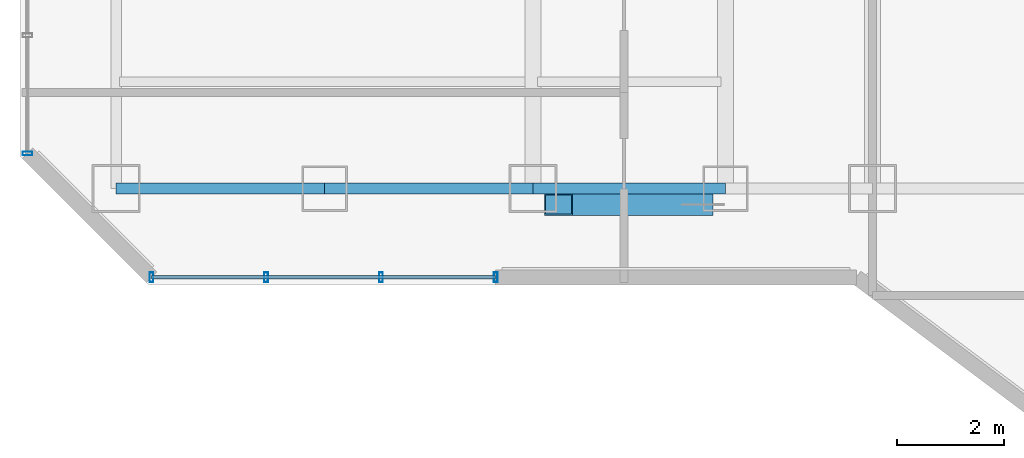
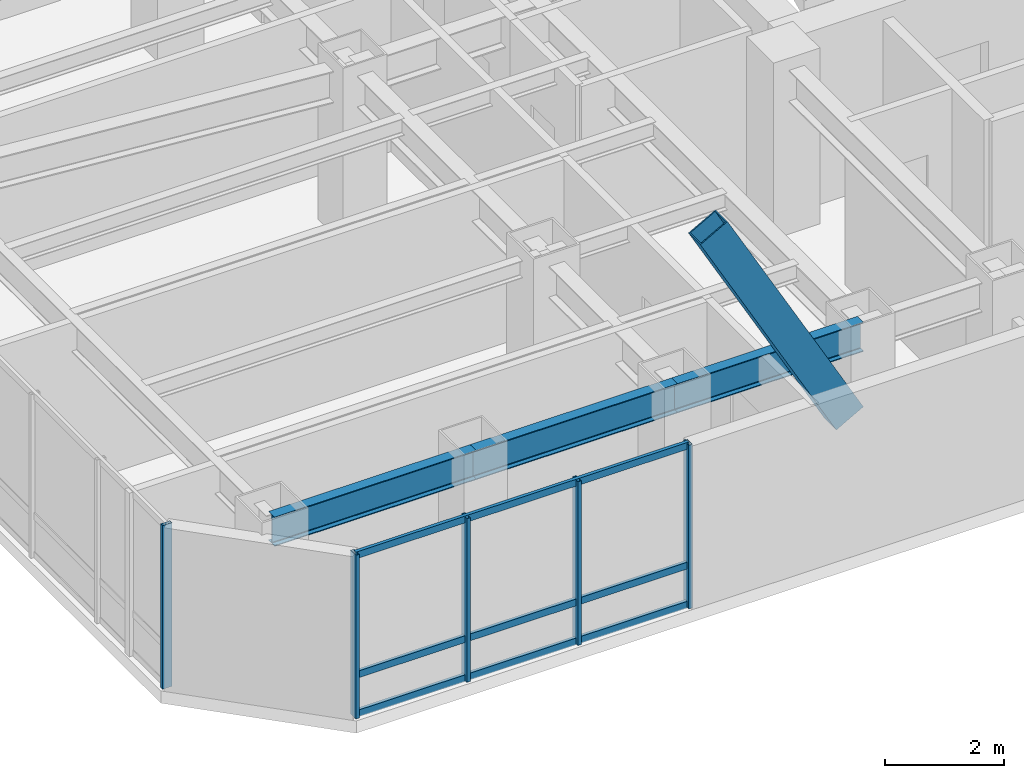
# One storey, part 2 of 31: 9 members, 3 beams, 2 elements without a shape of their own.
"""IFC4 building model written with IfcOpenShell, lengths in metres."""

from ifc_helpers import new_model, si_unit, direction, frame, origin, origin_2d, place, context, subcontext, project, spatial, hollow_rectangle, i_section, extrude, material, layer, layer_set, material_profile, profile_set, type_object, element, aggregate, save


model = new_model("IFC4")

# Units and contexts
model_context = context("Model", 3, precision=1e-05, world=origin(), true_north=direction((0.0, 1.0)))
body_context = subcontext(model_context, "Body", "Model", "MODEL_VIEW")
ifc_project = project(units=[si_unit("LENGTHUNIT", "METRE"), si_unit("AREAUNIT", "SQUARE_METRE"), si_unit("VOLUMEUNIT", "CUBIC_METRE"), si_unit("PLANEANGLEUNIT", "RADIAN"), si_unit("MASSUNIT", "GRAM", prefix="KILO")], contexts=[model_context])

# Site, building, storey
site_placement = place(None, origin())
site = spatial("IfcSite", under=ifc_project, at=site_placement, CompositionType="ELEMENT")
building_placement = place(site_placement, origin())
building = spatial("IfcBuilding", under=site, at=building_placement, Name="Hatsunagi Terrace Concourse", CompositionType="ELEMENT")
storey_placement = place(building_placement, frame((0.0, 0.0, 112.050048828125)))
storey = spatial("IfcBuildingStorey", under=building, at=storey_placement, Name="L29", CompositionType="ELEMENT", Elevation=112.050048828125)

# Curtain wall, members
ifc_material_1 = material(Name="Anodised Aluminium Alloy 6063-T5", Category="aluminium")
ifc_layer = layer(ifc_material_1, 0.199951171875)
ifc_layer_set = layer_set([ifc_layer], Name="OfficeZone1_CW03")
curtain_wall_type = type_object("IfcCurtainWallType", Name="OfficeZone1_CW03", PredefinedType="NOTDEFINED", material=ifc_layer_set)
curtain_wall_1_placement = place(storey_placement, origin())
curtain_wall_1 = element("IfcCurtainWall", 1, at=curtain_wall_1_placement, inside=storey, type_object=curtain_wall_type, Name="Unitised Curtain Wall CW-03 CW-L29-07", PredefinedType="NOTDEFINED")
ifc_material_2 = material(Name="Anodised Aluminium Alloy 6063-T5", Category="aluminium")
ifc_material_profile_1 = material_profile(ifc_material_2, hollow_rectangle(XDim=0.070068359375, YDim=0.179931640625, WallThickness=0.00390625, at=origin_2d()), Name="ALU-MUL-180x70x4")
ifc_profile_set_1 = profile_set([ifc_material_profile_1], Name="Anodised Aluminium Alloy 6063-T5")
member_type_1 = type_object("IfcMemberType", Name="CurtainWallMullion_180x70", PredefinedType="MULLION", material=ifc_profile_set_1)
member_1_placement = place(storey_placement, frame((18.5, 23.5400390625, 0.0), z_axis=(0.0, 0.0, 1.0), x_axis=(-1.0, 0.0, 0.0)))
member_1 = element("IfcMember", 2, at=member_1_placement, type_object=member_type_1, Name="Curtain Wall Mullion MUL-02", PredefinedType="MULLION", context=body_context, shape_type="SweptSolid", body=[
    extrude(hollow_rectangle(XDim=0.070068359375, YDim=0.179931640625, WallThickness=0.00390625, at=origin_2d()), origin(), (0.0, 0.0, 1.0), 3.349853515625),
])
member_2_placement = place(storey_placement, frame((16.35302734375, 23.5400390625, 0.0), z_axis=(0.0, 0.0, 1.0), x_axis=(-1.0, 0.0, 0.0)))
member_2 = element("IfcMember", 3, at=member_2_placement, type_object=member_type_1, Name="Curtain Wall Mullion MUL-02", PredefinedType="MULLION", context=body_context, shape_type="SweptSolid", body=[
    extrude(hollow_rectangle(XDim=0.070068359375, YDim=0.179931640625, WallThickness=0.00390625, at=origin_2d()), origin(), (0.0, 0.0, 1.0), 3.349853515625),
])
member_3_placement = place(storey_placement, frame((14.205078125, 23.5400390625, 0.0), z_axis=(0.0, 0.0, 1.0), x_axis=(-1.0, 0.0, 0.0)))
member_3 = element("IfcMember", 4, at=member_3_placement, type_object=member_type_1, Name="Curtain Wall Mullion MUL-02", PredefinedType="MULLION", context=body_context, shape_type="SweptSolid", body=[
    extrude(hollow_rectangle(XDim=0.070068359375, YDim=0.179931640625, WallThickness=0.00390625, at=origin_2d()), origin(), (0.0, 0.0, 1.0), 3.349853515625),
])
member_4_placement = place(storey_placement, frame((12.05810546875, 23.5400390625, 0.0), z_axis=(0.0, 0.0, 1.0), x_axis=(-1.0, 0.0, 0.0)))
member_4 = element("IfcMember", 5, at=member_4_placement, type_object=member_type_1, Name="Curtain Wall Mullion MUL-02", PredefinedType="MULLION", context=body_context, shape_type="SweptSolid", body=[
    extrude(hollow_rectangle(XDim=0.070068359375, YDim=0.179931640625, WallThickness=0.00390625, at=origin_2d()), origin(), (0.0, 0.0, 1.0), 3.349853515625),
])

# Curtain wall, member
curtain_wall_2_placement = place(storey_placement, origin())
curtain_wall_2 = element("IfcCurtainWall", 6, at=curtain_wall_2_placement, inside=storey, type_object=curtain_wall_type, Name="Unitised Curtain Wall CW-03 CW-L29-09", PredefinedType="NOTDEFINED")
member_5_placement = place(storey_placement, frame((9.739990234375, 25.85791015625, 0.0), z_axis=(0.0, 0.0, 1.0), x_axis=(0.0, 1.0, 0.0)))
member_5 = element("IfcMember", 7, at=member_5_placement, type_object=member_type_1, Name="Curtain Wall Mullion MUL-02", PredefinedType="MULLION", context=body_context, shape_type="SweptSolid", body=[
    extrude(hollow_rectangle(XDim=0.070068359375, YDim=0.179931640625, WallThickness=0.00390625, at=origin_2d()), origin(), (0.0, 0.0, 1.0), 3.349853515625),
])
aggregate(curtain_wall_2, [member_5])

# Member
ifc_material_3 = material(Name="Anodised Aluminium Alloy 6063-T5", Category="aluminium")
ifc_material_profile_2 = material_profile(ifc_material_3, hollow_rectangle(XDim=0.06494140625, YDim=0.139892578125, WallThickness=0.00390625, at=origin_2d()), Name="ALU-TRN-140x65x4")
ifc_profile_set_2 = profile_set([ifc_material_profile_2], Name="Anodised Aluminium Alloy 6063-T5")
member_type_2 = type_object("IfcMemberType", Name="CurtainWallTransom_140x65", PredefinedType="USERDEFINED", material=ifc_profile_set_2)
member_6_placement = place(storey_placement, frame((18.5, 23.5400390625, 0.050048828125), z_axis=(-1.0, 0.0, 0.0), x_axis=(0.0, -1.0, 0.0)))
member_6 = element("IfcMember", 8, at=member_6_placement, type_object=member_type_2, Name="Curtain Wall Transom TRN-02", ObjectType="TRANSOM", PredefinedType="USERDEFINED", context=body_context, shape_type="SweptSolid", body=[
    extrude(hollow_rectangle(XDim=0.06494140625, YDim=0.139892578125, WallThickness=0.00390625, at=origin_2d()), origin(), (0.0, 0.0, 1.0), 6.44189453125),
])

member_7_placement = place(storey_placement, frame((18.5, 23.5400390625, 0.849853515625), z_axis=(-1.0, 0.0, 0.0), x_axis=(0.0, -1.0, 0.0)))
member_7 = element("IfcMember", 9, at=member_7_placement, type_object=member_type_2, Name="Curtain Wall Transom TRN-02", ObjectType="TRANSOM", PredefinedType="USERDEFINED", context=body_context, shape_type="SweptSolid", body=[
    extrude(hollow_rectangle(XDim=0.06494140625, YDim=0.139892578125, WallThickness=0.00390625, at=origin_2d()), origin(), (0.0, 0.0, 1.0), 6.44189453125),
])

member_8_placement = place(storey_placement, frame((18.5, 23.5400390625, 3.300048828125), z_axis=(-1.0, 0.0, 0.0), x_axis=(0.0, -1.0, 0.0)))
member_8 = element("IfcMember", 10, at=member_8_placement, type_object=member_type_2, Name="Curtain Wall Transom TRN-02", ObjectType="TRANSOM", PredefinedType="USERDEFINED", context=body_context, shape_type="SweptSolid", body=[
    extrude(hollow_rectangle(XDim=0.06494140625, YDim=0.139892578125, WallThickness=0.00390625, at=origin_2d()), origin(), (0.0, 0.0, 1.0), 6.44189453125),
])

aggregate(curtain_wall_1, [member_1, member_2, member_3, member_4, member_6, member_7, member_8])

# Beams
ifc_material_4 = material(Name="Steel SN490B", Category="steel")
ifc_material_profile_3 = material_profile(ifc_material_4, i_section(OverallWidth=0.199951171875, OverallDepth=0.60009765625, WebThickness=0.010986328125, FlangeThickness=0.01708984375, FilletRadius=0.01806640625, at=origin_2d()), Name="H-600x200x11x17")
ifc_profile_set_3 = profile_set([ifc_material_profile_3], Name="Steel SN490B")
beam_type = type_object("IfcBeamType", Name="PerimeterSpandrel_H_600x200", PredefinedType="SPANDREL", material=ifc_profile_set_3)
beam_1_placement = place(storey_placement, frame((11.39990234375, 25.199951171875, 3.050048828125), z_axis=(1.0, 0.0, 0.0), x_axis=(0.0, 1.0, 0.0)))
element("IfcBeam", 11, at=beam_1_placement, inside=storey, type_object=beam_type, Name="Beam SP-01 BM-L29-WS-11", PredefinedType="SPANDREL", context=body_context, shape_type="SweptSolid", body=[
    extrude(i_section(OverallWidth=0.199951171875, OverallDepth=0.60009765625, WebThickness=0.010986328125, FlangeThickness=0.01708984375, FilletRadius=0.01806640625, at=origin_2d()), origin(), (0.0, 0.0, 1.0), 3.900146484375),
])
beam_2_placement = place(storey_placement, frame((15.300048828125, 25.199951171875, 3.050048828125), z_axis=(1.0, 0.0, 0.0), x_axis=(0.0, 1.0, 0.0)))
element("IfcBeam", 12, at=beam_2_placement, inside=storey, type_object=beam_type, Name="Beam SP-01 BM-L29-WS-15", PredefinedType="SPANDREL", context=body_context, shape_type="SweptSolid", body=[
    extrude(i_section(OverallWidth=0.199951171875, OverallDepth=0.60009765625, WebThickness=0.010986328125, FlangeThickness=0.01708984375, FilletRadius=0.01806640625, at=origin_2d()), origin(), (0.0, 0.0, 1.0), 3.89990234375),
])
beam_3_placement = place(storey_placement, frame((19.199951171875, 25.199951171875, 3.050048828125), z_axis=(1.0, 0.0, 0.0), x_axis=(0.0, 1.0, 0.0)))
element("IfcBeam", 13, at=beam_3_placement, inside=storey, type_object=beam_type, Name="Beam SP-01 BM-L29-WS-19", PredefinedType="SPANDREL", context=body_context, shape_type="SweptSolid", body=[
    extrude(i_section(OverallWidth=0.199951171875, OverallDepth=0.60009765625, WebThickness=0.010986328125, FlangeThickness=0.01708984375, FilletRadius=0.01806640625, at=origin_2d()), origin(), (0.0, 0.0, 1.0), 3.60009765625),
])

# Member
ifc_material_5 = material(Name="Steel SN490B", Category="steel")
ifc_material_profile_4 = material_profile(ifc_material_5, hollow_rectangle(XDim=0.39990234375, YDim=0.60009765625, WallThickness=0.02490234375, at=origin_2d()), Name="RHS-600x400x25")
ifc_profile_set_4 = profile_set([ifc_material_profile_4], Name="Steel SN490B")
member_type_3 = type_object("IfcMemberType", Name="PerimeterXBrace_Mid_RHS_600x400x25", PredefinedType="BRACE", material=ifc_profile_set_4)
member_9_placement = place(storey_placement, frame((19.675048828125, 24.89990234375, 6.510009765625), z_axis=(0.48754257962, 0.0, -0.873099211463), x_axis=(0.0, 1.0, 0.0)))
element("IfcMember", 14, at=member_9_placement, inside=storey, type_object=member_type_3, Name="Perimeter X-Brace Split Upper XB-02 XB-L28-W1B1", PredefinedType="BRACE", context=body_context, shape_type="SweptSolid", body=[
    extrude(hollow_rectangle(XDim=0.39990234375, YDim=0.60009765625, WallThickness=0.02490234375, at=origin_2d()), origin(), (0.0, 0.0, 1.0), 5.398193359375),
])

save(model, "model.ifc")
